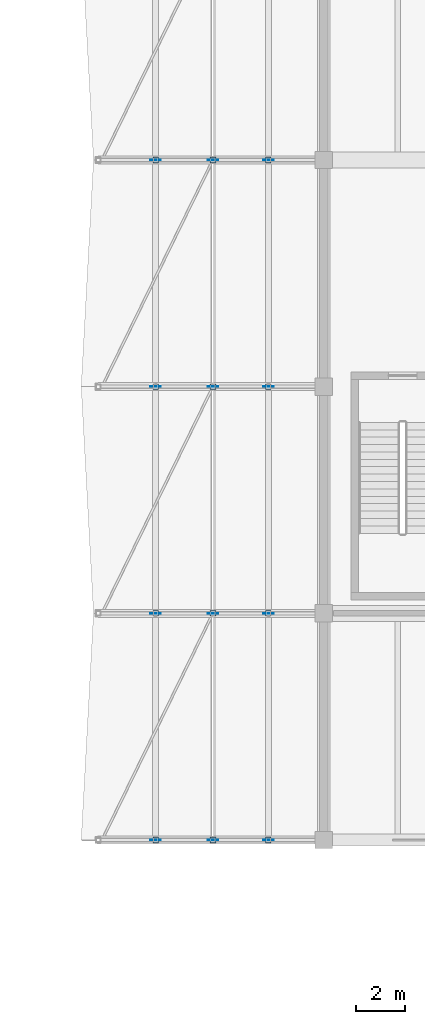
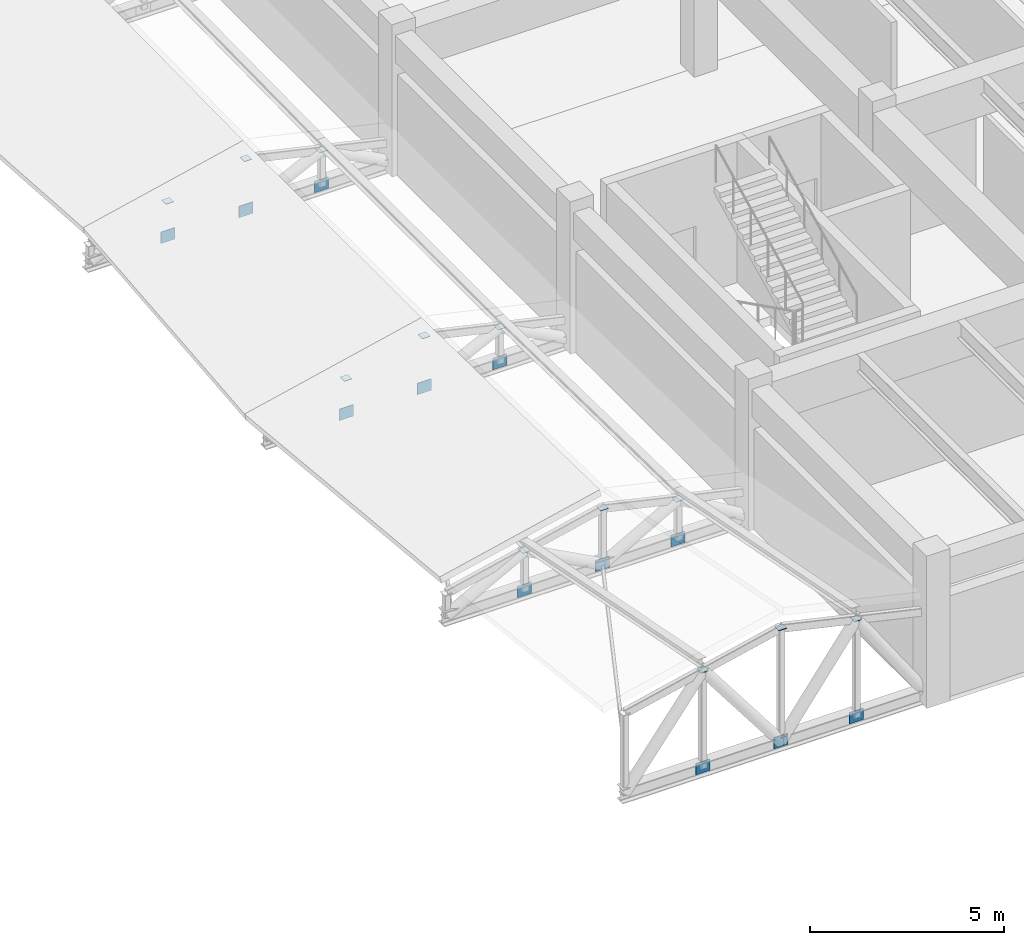
# One storey, part 68 of 90: 24 plates.
"""IFC4 building model written with IfcOpenShell, lengths in metres."""

from ifc_helpers import new_model, si_unit, direction, frame, origin, origin_2d, place, context, subcontext, project, spatial, rectangle, extrude, material, layer, layer_set, type_object, element, save


model = new_model("IFC4")

# Units and contexts
model_context = context("Model", 3, precision=1e-05, world=origin(), true_north=direction((0.0, 1.0)))
body_context = subcontext(model_context, "Body", "Model", "MODEL_VIEW")
ifc_project = project(units=[si_unit("LENGTHUNIT", "METRE"), si_unit("AREAUNIT", "SQUARE_METRE"), si_unit("VOLUMEUNIT", "CUBIC_METRE"), si_unit("PLANEANGLEUNIT", "RADIAN"), si_unit("MASSUNIT", "GRAM", prefix="KILO")], contexts=[model_context])

# Site, building, storey
site_placement = place(None, origin())
site = spatial("IfcSite", under=ifc_project, at=site_placement, CompositionType="ELEMENT")
building_placement = place(site_placement, origin())
building = spatial("IfcBuilding", under=site, at=building_placement, Name="Bozkorgan Art Gallery", CompositionType="ELEMENT")
storey_placement = place(building_placement, frame((0.0, 0.0, 5.39990234375)))
storey = spatial("IfcBuildingStorey", under=building, at=storey_placement, Name="L01", CompositionType="ELEMENT", Elevation=5.39990234375)

# Plates
ifc_material = material(Name="Steel S355J2", Category="steel")
ifc_layer_1 = layer(ifc_material, 0.01611328125, Name="Steel S355J2")
ifc_layer_set_1 = layer_set([ifc_layer_1], Name="Steel S355J2")
plate_type_1 = type_object("IfcPlateType", Name="PLATE-EC-05", PredefinedType="USERDEFINED", material=ifc_layer_set_1)
for number, where, z_axis, x_axis, name in (
    (1, (130.175048828125, 66.0, 3.26513671875), (0.0, 0.0, 1.0), (1.0, 0.0, 0.0), "Truss V5 post cap 1.1"),
    (2, (132.5, 66.0, 3.79345703125), (0.0, 0.0, 1.0), (1.0, 0.0, 0.0), "Truss V5 post cap 1.2"),
    (3, (134.75, 66.0, 3.2822265625), (0.0, 0.0, 1.0), (1.0, 0.0, 0.0), "Truss V5 post cap 1.3"),
    (4, (130.175048828125, 75.199951171875, 1.460693359375), (0.0, 0.0, 1.0), (1.0, 0.0, 0.0), "Truss V5 post cap 2.1"),
    (5, (132.5, 75.199951171875, 1.989013671875), (0.0, 0.0, 1.0), (1.0, 0.0, 0.0), "Truss V5 post cap 2.2"),
    (6, (134.75, 75.199951171875, 1.477783203125), (0.0, 0.0, 1.0), (1.0, 0.0, 0.0), "Truss V5 post cap 2.3"),
    (7, (130.175048828125, 84.39990234375, 1.30322265625), (0.0, 0.0, 1.0), (1.0, 0.0, 0.0), "Truss V5 post cap 3.1"),
    (8, (132.5, 84.39990234375, 1.831298828125), (0.0, 0.0, 1.0), (1.0, 0.0, 0.0), "Truss V5 post cap 3.2"),
    (9, (134.75, 84.39990234375, 1.320068359375), (0.0, 0.0, 1.0), (1.0, 0.0, 0.0), "Truss V5 post cap 3.3"),
    (10, (130.175048828125, 93.60009765625, 1.30322265625), (0.0, 0.0, 1.0), (1.0, 0.0, 0.0), "Truss V5 post cap 4.1"),
    (11, (132.5, 93.60009765625, 1.831298828125), (0.0, 0.0, 1.0), (1.0, 0.0, 0.0), "Truss V5 post cap 4.2"),
    (12, (134.75, 93.60009765625, 1.320068359375), (0.0, 0.0, 1.0), (1.0, 0.0, 0.0), "Truss V5 post cap 4.3"),
):
    element("IfcPlate", number, at=place(storey_placement, frame(where, z_axis=z_axis, x_axis=x_axis)), inside=storey, type_object=plate_type_1, Name=name, ObjectType="END CAP PLATE", PredefinedType="USERDEFINED", context=body_context, shape_type="SweptSolid", body=[
        extrude(rectangle(XDim=0.22998046875, YDim=0.22998046875, at=origin_2d()), origin(), (0.0, 0.0, 1.0), 0.01611328125),
    ])
ifc_layer_2 = layer(ifc_material, 0.02392578125, Name="Steel S355J2")
ifc_layer_set_2 = layer_set([ifc_layer_2], Name="Steel S355J2")
plate_type_2 = type_object("IfcPlateType", Name="PLATE-GP-38", PredefinedType="USERDEFINED", material=ifc_layer_set_2)
for number, where, z_axis, x_axis, name in (
    (13, (132.5, 66.0, 0.044921875), (0.0, 0.0, 1.0), (1.0, 0.0, 0.0), "Truss V5 span 1 node gusset TN-2"),
    (14, (132.5, 75.199951171875, 0.044921875), (0.0, 0.0, 1.0), (1.0, 0.0, 0.0), "Truss V5 span 2 node gusset TN-2"),
    (15, (132.5, 84.39990234375, 0.044921875), (0.0, 0.0, 1.0), (1.0, 0.0, 0.0), "Truss V5 span 3 node gusset TN-2"),
    (16, (132.5, 93.60009765625, 0.044921875), (0.0, 0.0, 1.0), (1.0, 0.0, 0.0), "Truss V5 span 4 node gusset TN-2"),
):
    element("IfcPlate", number, at=place(storey_placement, frame(where, z_axis=z_axis, x_axis=x_axis)), inside=storey, type_object=plate_type_2, Name=name, ObjectType="GUSSET PLATE", PredefinedType="USERDEFINED", context=body_context, shape_type="SweptSolid", body=[
        extrude(rectangle(XDim=0.419921875, YDim=0.02001953125, at=origin_2d()), origin(), (0.0, 0.0, 1.0), 0.360107421875),
    ])
ifc_layer_3 = layer(ifc_material, 0.02001953125, Name="Steel S355J2")
ifc_layer_set_3 = layer_set([ifc_layer_3], Name="Steel S355J2")
plate_type_3 = type_object("IfcPlateType", Name="PLATE-GP-55", PredefinedType="USERDEFINED", material=ifc_layer_set_3)
for number, where, z_axis, x_axis, name in (
    (17, (130.175048828125, 66.0, 0.044921875), (0.0, 0.0, 1.0), (1.0, 0.0, 0.0), "Truss V5 span 1 node gusset TN-1"),
    (18, (134.75, 66.0, 0.044921875), (0.0, 0.0, 1.0), (1.0, 0.0, 0.0), "Truss V5 span 1 node gusset TN-3"),
    (19, (130.175048828125, 75.199951171875, 0.044921875), (0.0, 0.0, 1.0), (1.0, 0.0, 0.0), "Truss V5 span 2 node gusset TN-1"),
    (20, (134.75, 75.199951171875, 0.044921875), (0.0, 0.0, 1.0), (1.0, 0.0, 0.0), "Truss V5 span 2 node gusset TN-3"),
    (21, (130.175048828125, 84.39990234375, 0.044921875), (0.0, 0.0, 1.0), (1.0, 0.0, 0.0), "Truss V5 span 3 node gusset TN-1"),
    (22, (134.75, 84.39990234375, 0.044921875), (0.0, 0.0, 1.0), (1.0, 0.0, 0.0), "Truss V5 span 3 node gusset TN-3"),
    (23, (130.175048828125, 93.60009765625, 0.044921875), (0.0, 0.0, 1.0), (1.0, 0.0, 0.0), "Truss V5 span 4 node gusset TN-1"),
    (24, (134.75, 93.60009765625, 0.044921875), (0.0, 0.0, 1.0), (1.0, 0.0, 0.0), "Truss V5 span 4 node gusset TN-3"),
):
    element("IfcPlate", number, at=place(storey_placement, frame(where, z_axis=z_axis, x_axis=x_axis)), inside=storey, type_object=plate_type_3, Name=name, ObjectType="GUSSET PLATE", PredefinedType="USERDEFINED", context=body_context, shape_type="SweptSolid", body=[
        extrude(rectangle(XDim=0.419921875, YDim=0.02001953125, at=origin_2d()), origin(), (0.0, 0.0, 1.0), 0.360107421875),
    ])

save(model, "model.ifc")
